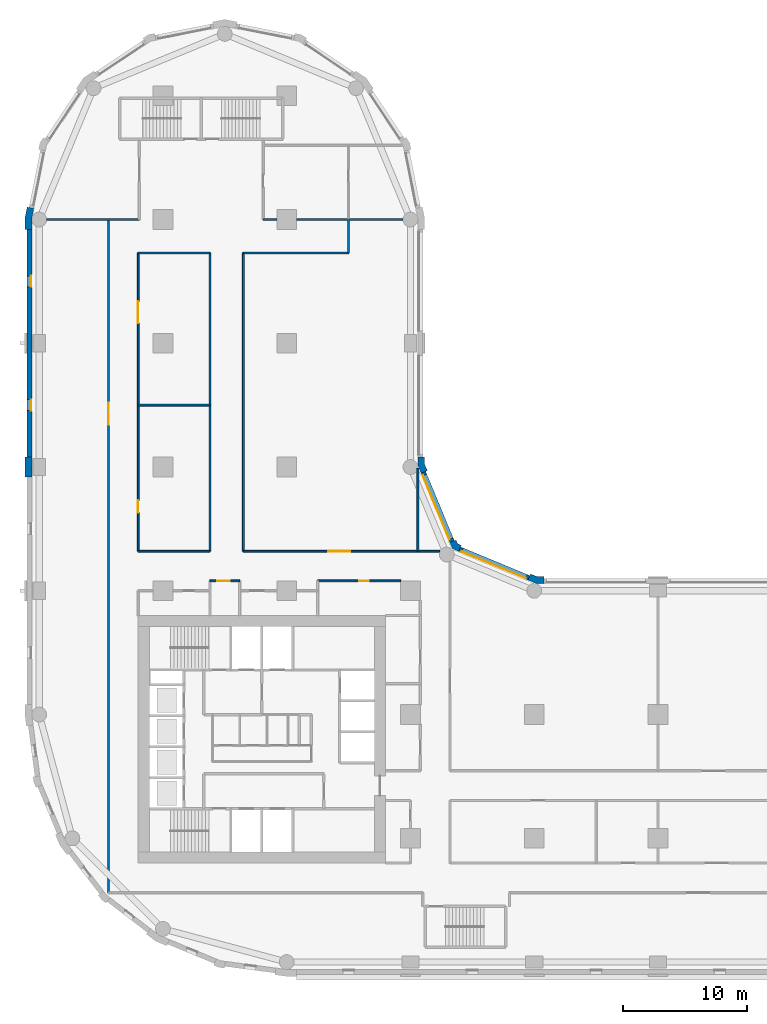
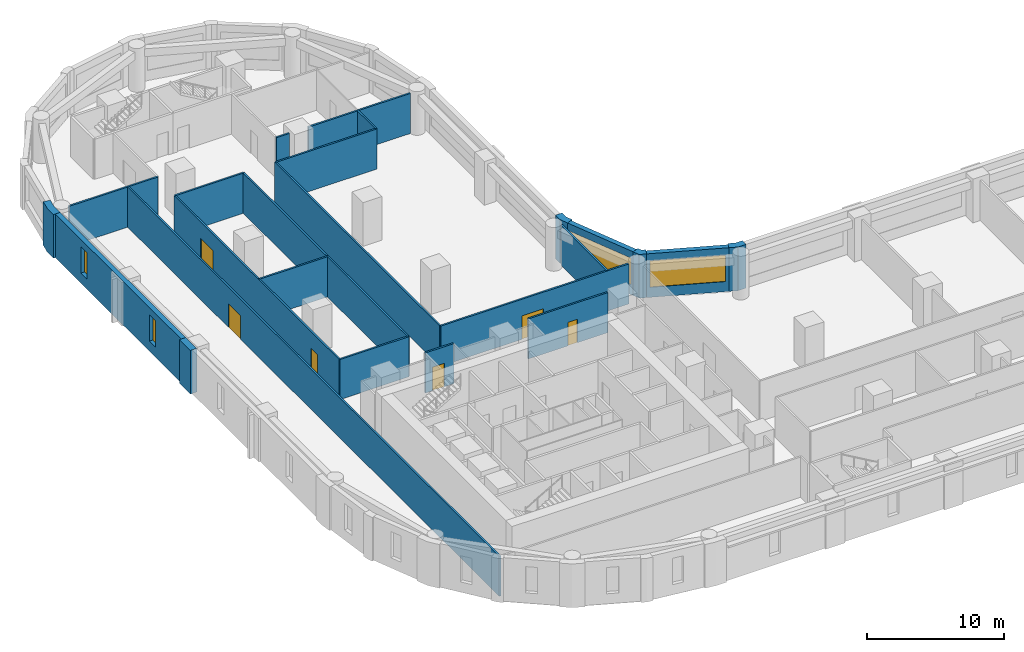
# One storey, part 5 of 10: 24 walls, 6 doors, 4 windows, 10 openings.
"""IFC4 building model written with IfcOpenShell, lengths in metres."""

from ifc_helpers import new_model, si_unit, direction, frame, frame_2d, origin, place, context, subcontext, project, spatial, polyline, rectangle, outline, extrude, material, layer, layer_set, type_object, element, fill, save


model = new_model("IFC4")

# Units and contexts
model_context = context("Model", 3, precision=1e-05, world=origin(), true_north=direction((0.0, 1.0)))
body_context = subcontext(model_context, "Body", "Model", "MODEL_VIEW")
ifc_project = project(units=[si_unit("LENGTHUNIT", "METRE"), si_unit("AREAUNIT", "SQUARE_METRE"), si_unit("VOLUMEUNIT", "CUBIC_METRE"), si_unit("PLANEANGLEUNIT", "RADIAN"), si_unit("MASSUNIT", "GRAM", prefix="KILO")], contexts=[model_context])

# Site, building, storey
site_placement = place(None, origin())
site = spatial("IfcSite", under=ifc_project, at=site_placement, CompositionType="ELEMENT")
building_placement = place(site_placement, origin())
building = spatial("IfcBuilding", under=site, at=building_placement, Name="Qaws Garden Tower", CompositionType="ELEMENT")
storey_placement = place(building_placement, frame((0.0, 0.0, 39.300048828125)))
storey = spatial("IfcBuildingStorey", under=building, at=storey_placement, Name="L09", CompositionType="ELEMENT", Elevation=39.300048828125)

# Wall, opening, window
ifc_material_1 = material(Name="Clay facing brick masonry", Category="masonry")
ifc_layer_1 = layer(ifc_material_1, 0.39990234375)
ifc_layer_set_1 = layer_set([ifc_layer_1], Name="Clay facing brick masonry")
wall_type_1 = type_object("IfcWallType", Name="Brick infill wall 400", PredefinedType="SOLIDWALL", material=ifc_layer_set_1)
wall_1_placement = place(storey_placement, frame((39.56689453125, 31.04541015625, 0.0), z_axis=(0.0, 0.0, 1.0), x_axis=(-0.923891000409, 0.382655745237, 0.0)))
wall_1 = element("IfcWall", 1, at=wall_1_placement, inside=storey, type_object=wall_type_1, Name="E-L09-infill-11", PredefinedType="SOLIDWALL", context=body_context, shape_type="SweptSolid", body=[
    extrude(rectangle(XDim=6.053466796875, YDim=0.39990234375, at=frame_2d((3.02685546875, 0.0))), origin(), (0.0, 0.0, 1.0), 3.89990234375),
])
opening_1_placement = place(wall_1_placement, frame((0.226806640625, 0.0, 0.89990234375)))
opening_1 = element("IfcOpeningElement", 2, at=opening_1_placement, cuts=wall_1, Name="Opening W04", PredefinedType="OPENING", context=body_context, shape_type="SweptSolid", body=[
    extrude(rectangle(XDim=5.60009765625, YDim=2.35009765625, at=frame_2d((2.800048828125, 1.175048828125))), frame((0.0, 0.2099609375, 0.0), z_axis=(0.0, -1.0, 0.0), x_axis=(1.0, 0.0, 0.0)), (0.0, 0.0, 1.0), 0.419921875),
])
ifc_material_2 = material(Name="Aluminium framed window, clear glazing", Category="aluminium")
window_type_1 = type_object("IfcWindowType", Name="Ribbon window 5600 x 2350", PartitioningType="DOUBLE_PANEL_VERTICAL", PredefinedType="WINDOW", material=ifc_material_2)
window_1_placement = place(opening_1_placement, origin())
window_1 = element("IfcWindow", 3, at=window_1_placement, inside=storey, type_object=window_type_1, Name="E-L09-window-11-0", OverallHeight=2.35009765625, OverallWidth=5.60009765625, PartitioningType="SINGLE_PANEL", PredefinedType="WINDOW", context=body_context, shape_type="SweptSolid", body=[
    extrude(rectangle(XDim=5.60009765625, YDim=2.35009765625, at=frame_2d((2.800048828125, 1.175048828125))), frame((0.0, 0.159912109375, 0.0), z_axis=(0.0, -1.0, 0.0), x_axis=(1.0, 0.0, 0.0)), (0.0, 0.0, 1.0), 0.06005859375),
])
fill(opening_1, window_1)

wall_2_placement = place(storey_placement, frame((33.36181640625, 33.97412109375, 0.0), z_axis=(0.0, 0.0, 1.0), x_axis=(-0.382655745237, 0.923891000409, 0.0)))
wall_2 = element("IfcWall", 4, at=wall_2_placement, inside=storey, type_object=wall_type_1, Name="E-L09-infill-12", PredefinedType="SOLIDWALL", context=body_context, shape_type="SweptSolid", body=[
    extrude(rectangle(XDim=6.053466796875, YDim=0.39990234375, at=frame_2d((3.02685546875, 0.0))), origin(), (0.0, 0.0, 1.0), 3.89990234375),
])
opening_2_placement = place(wall_2_placement, frame((0.226806640625, 0.0, 0.89990234375)))
opening_2 = element("IfcOpeningElement", 5, at=opening_2_placement, cuts=wall_2, Name="Opening W04", PredefinedType="OPENING", context=body_context, shape_type="SweptSolid", body=[
    extrude(rectangle(XDim=5.60009765625, YDim=2.35009765625, at=frame_2d((2.800048828125, 1.175048828125))), frame((0.0, 0.2099609375, 0.0), z_axis=(0.0, -1.0, 0.0), x_axis=(1.0, 0.0, 0.0)), (0.0, 0.0, 1.0), 0.419921875),
])
window_2_placement = place(opening_2_placement, origin())
window_2 = element("IfcWindow", 6, at=window_2_placement, inside=storey, type_object=window_type_1, Name="E-L09-window-12-0", OverallHeight=2.35009765625, OverallWidth=5.60009765625, PartitioningType="SINGLE_PANEL", PredefinedType="WINDOW", context=body_context, shape_type="SweptSolid", body=[
    extrude(rectangle(XDim=5.60009765625, YDim=2.35009765625, at=frame_2d((2.800048828125, 1.175048828125))), frame((0.0, 0.159912109375, 0.0), z_axis=(0.0, -1.0, 0.0), x_axis=(1.0, 0.0, 0.0)), (0.0, 0.0, 1.0), 0.06005859375),
])
fill(opening_2, window_2)

# Wall, openings, windows
wall_3_placement = place(storey_placement, frame((-0.800048828125, 59.199951171875, 0.0), z_axis=(0.0, 0.0, 1.0), x_axis=(0.0, -1.0, 0.0)))
wall_3 = element("IfcWall", 7, at=wall_3_placement, inside=storey, type_object=wall_type_1, Name="E-L09-infill-23", PredefinedType="SOLIDWALL", context=body_context, shape_type="SweptSolid", body=[
    extrude(rectangle(XDim=18.39990234375, YDim=0.39990234375, at=frame_2d((9.199951171875, 0.0))), origin(), (0.0, 0.0, 1.0), 3.89990234375),
])
opening_3_placement = place(wall_3_placement, frame((3.75, 0.0, 0.89990234375)))
opening_3 = element("IfcOpeningElement", 8, at=opening_3_placement, cuts=wall_3, Name="Opening W09", PredefinedType="OPENING", context=body_context, shape_type="SweptSolid", body=[
    extrude(rectangle(XDim=0.89990234375, YDim=2.35009765625, at=frame_2d((0.449951171875, 1.175048828125))), frame((0.0, 0.2099609375, 0.0), z_axis=(0.0, -1.0, 0.0), x_axis=(1.0, 0.0, 0.0)), (0.0, 0.0, 1.0), 0.419921875),
])
opening_4_placement = place(wall_3_placement, frame((13.75, 0.0, 0.89990234375)))
opening_4 = element("IfcOpeningElement", 9, at=opening_4_placement, cuts=wall_3, Name="Opening W09", PredefinedType="OPENING", context=body_context, shape_type="SweptSolid", body=[
    extrude(rectangle(XDim=0.89990234375, YDim=2.35009765625, at=frame_2d((0.449951171875, 1.175048828125))), frame((0.0, 0.2099609375, 0.0), z_axis=(0.0, -1.0, 0.0), x_axis=(1.0, 0.0, 0.0)), (0.0, 0.0, 1.0), 0.419921875),
])
ifc_material_3 = material(Name="Aluminium framed window, clear glazing", Category="aluminium")
window_type_2 = type_object("IfcWindowType", Name="Slit window 900 x 2350", PartitioningType="SINGLE_PANEL", PredefinedType="WINDOW", material=ifc_material_3)
window_3_placement = place(opening_3_placement, origin())
window_3 = element("IfcWindow", 10, at=window_3_placement, inside=storey, type_object=window_type_2, Name="E-L09-window-23-0", OverallHeight=2.35009765625, OverallWidth=0.89990234375, PartitioningType="SINGLE_PANEL", PredefinedType="WINDOW", context=body_context, shape_type="SweptSolid", body=[
    extrude(rectangle(XDim=0.89990234375, YDim=2.35009765625, at=frame_2d((0.449951171875, 1.175048828125))), frame((0.0, 0.159912109375, 0.0), z_axis=(0.0, -1.0, 0.0), x_axis=(1.0, 0.0, 0.0)), (0.0, 0.0, 1.0), 0.06005859375),
])
fill(opening_3, window_3)
window_4_placement = place(opening_4_placement, origin())
window_4 = element("IfcWindow", 11, at=window_4_placement, inside=storey, type_object=window_type_2, Name="E-L09-window-24-0", OverallHeight=2.35009765625, OverallWidth=0.89990234375, PartitioningType="SINGLE_PANEL", PredefinedType="WINDOW", context=body_context, shape_type="SweptSolid", body=[
    extrude(rectangle(XDim=0.89990234375, YDim=2.35009765625, at=frame_2d((0.449951171875, 1.175048828125))), frame((0.0, 0.159912109375, 0.0), z_axis=(0.0, -1.0, 0.0), x_axis=(1.0, 0.0, 0.0)), (0.0, 0.0, 1.0), 0.06005859375),
])
fill(opening_4, window_4)

# Walls
ifc_material_4 = material(Name="Clay facing brick masonry", Category="masonry")
ifc_layer_2 = layer(ifc_material_4, 0.550048828125)
ifc_layer_set_2 = layer_set([ifc_layer_2], Name="Clay facing brick masonry")
wall_type_2 = type_object("IfcWallType", Name="Brick pier 550 x 1600", PredefinedType="SOLIDWALL", material=ifc_layer_set_2)
placement = place(storey_placement, origin())
element("IfcWall", 12, at=placement, inside=storey, type_object=wall_type_2, Name="E-L09-pier-11", PredefinedType="SOLIDWALL", context=body_context, shape_type="SweptSolid", body=[
    extrude(outline(polyline([(40.800048828125, 31.0), (40.800048828125, 31.14990234375), (40.228759765625, 31.14990234375), (39.700927734375, 31.36865234375), (39.6435546875, 31.22998046875), (39.490478515625, 30.860595703125), (40.119384765625, 30.60009765625), (40.800048828125, 30.60009765625), (40.800048828125, 31.0)])), origin(), (0.0, 0.0, 1.0), 3.89990234375),
])
element("IfcWall", 13, at=placement, inside=storey, type_object=wall_type_2, Name="E-L09-pier-12", PredefinedType="SOLIDWALL", context=body_context, shape_type="SweptSolid", body=[
    extrude(outline(polyline([(34.05078125, 33.546630859375), (34.108154296875, 33.685302734375), (33.80908203125, 33.80908203125), (33.685302734375, 34.108154296875), (33.546630859375, 34.05078125), (33.177001953125, 33.897705078125), (33.38818359375, 33.38818359375), (33.897705078125, 33.177001953125), (34.05078125, 33.546630859375)])), origin(), (0.0, 0.0, 1.0), 3.89990234375),
])
element("IfcWall", 14, at=placement, inside=storey, type_object=wall_type_2, Name="E-L09-pier-13", PredefinedType="SOLIDWALL", context=body_context, shape_type="SweptSolid", body=[
    extrude(outline(polyline([(31.22998046875, 39.6435546875), (31.36865234375, 39.700927734375), (31.14990234375, 40.228759765625), (31.14990234375, 40.800048828125), (31.0, 40.800048828125), (30.60009765625, 40.800048828125), (30.60009765625, 40.119384765625), (30.860595703125, 39.490478515625), (31.22998046875, 39.6435546875)])), origin(), (0.0, 0.0, 1.0), 3.89990234375),
])
element("IfcWall", 15, at=placement, inside=storey, type_object=wall_type_2, Name="E-L09-pier-23", PredefinedType="SOLIDWALL", context=body_context, shape_type="SweptSolid", body=[
    extrude(outline(polyline([(-0.82470703125, 60.979736328125), (-0.971923828125, 61.009033203125), (-1.14990234375, 60.11328125), (-1.14990234375, 59.199951171875), (-1.0, 59.199951171875), (-0.60009765625, 59.199951171875), (-0.60009765625, 60.05908203125), (-0.432373046875, 60.901611328125), (-0.82470703125, 60.979736328125)])), origin(), (0.0, 0.0, 1.0), 3.89990234375),
])
element("IfcWall", 16, at=placement, inside=storey, type_object=wall_type_2, Name="E-L09-pier-25", PredefinedType="SOLIDWALL", context=body_context, shape_type="SweptSolid", body=[
    extrude(outline(polyline([(-1.0, 40.800048828125), (-1.14990234375, 40.800048828125), (-1.14990234375, 40.0), (-1.14990234375, 39.199951171875), (-1.0, 39.199951171875), (-0.60009765625, 39.199951171875), (-0.60009765625, 40.0), (-0.60009765625, 40.800048828125), (-1.0, 40.800048828125)])), origin(), (0.0, 0.0, 1.0), 3.89990234375),
])

# Wall, opening, door
ifc_material_5 = material(Name="Gypsum board partition")
ifc_layer_3 = layer(ifc_material_5, 0.14990234375)
ifc_layer_set_3 = layer_set([ifc_layer_3], Name="Gypsum board partition")
wall_type_3 = type_object("IfcWallType", Name="PARTITION 150 EI 60", PredefinedType="PARTITIONING", material=ifc_layer_set_3)
wall_9_placement = place(storey_placement, frame((5.60009765625, 5.60009765625, 0.0), z_axis=(0.0, 0.0, 1.0), x_axis=(0.0, 1.0, 0.0)))
wall_9 = element("IfcWall", 17, at=wall_9_placement, inside=storey, type_object=wall_type_3, Name="O-L09-wall-002", PredefinedType="PARTITIONING", context=body_context, shape_type="SweptSolid", body=[
    extrude(rectangle(XDim=54.39990234375, YDim=0.14990234375, at=frame_2d((27.199951171875, 0.0))), origin(), (0.0, 0.0, 1.0), 3.579833984375),
])
opening_5_placement = place(wall_9_placement, frame((37.800048828125, 0.0, 0.0)))
opening_5 = element("IfcOpeningElement", 18, at=opening_5_placement, cuts=wall_9, Name="Opening A301", PredefinedType="OPENING", context=body_context, shape_type="SweptSolid", body=[
    extrude(rectangle(XDim=1.800048828125, YDim=2.10009765625, at=frame_2d((0.89990234375, 1.050048828125))), frame((0.0, 0.0849609375, 0.0), z_axis=(0.0, -1.0, 0.0), x_axis=(1.0, 0.0, 0.0)), (0.0, 0.0, 1.0), 0.169921875),
])
ifc_material_6 = material(Name="Timber door leaf", Category="wood")
door_type_1 = type_object("IfcDoorType", Name="DOUBLE DOOR 1800 X 2100", OperationType="DOUBLE_DOOR_SINGLE_SWING", PredefinedType="DOOR", material=ifc_material_6)
door_1_placement = place(opening_5_placement, origin())
door_1 = element("IfcDoor", 19, at=door_1_placement, inside=storey, type_object=door_type_1, Name="O-L09-door-001", OperationType="DOUBLE_DOOR_SINGLE_SWING", OverallHeight=2.10009765625, OverallWidth=1.800048828125, PredefinedType="DOOR", context=body_context, shape_type="SweptSolid", body=[
    extrude(rectangle(XDim=1.800048828125, YDim=2.10009765625, at=frame_2d((0.89990234375, 1.050048828125))), frame((0.0, 0.02490234375, 0.0), z_axis=(0.0, -1.0, 0.0), x_axis=(1.0, 0.0, 0.0)), (0.0, 0.0, 1.0), 0.050048828125),
])
fill(opening_5, door_1)

# Wall, openings, doors
wall_10_placement = place(storey_placement, frame((8.0, 33.199951171875, 0.0), z_axis=(0.0, 0.0, 1.0), x_axis=(0.0, 1.0, 0.0)))
wall_10 = element("IfcWall", 20, at=wall_10_placement, inside=storey, type_object=wall_type_3, Name="O-L09-wall-004", PredefinedType="PARTITIONING", context=body_context, shape_type="SweptSolid", body=[
    extrude(rectangle(XDim=24.10009765625, YDim=0.14990234375, at=frame_2d((12.050048828125, 0.0))), origin(), (0.0, 0.0, 1.0), 3.579833984375),
])
opening_6_placement = place(wall_10_placement, frame((3.10009765625, 0.0, 0.0)))
opening_6 = element("IfcOpeningElement", 21, at=opening_6_placement, cuts=wall_10, Name="Opening A306", PredefinedType="OPENING", context=body_context, shape_type="SweptSolid", body=[
    extrude(rectangle(XDim=1.0, YDim=2.10009765625, at=frame_2d((0.5, 1.050048828125))), frame((0.0, 0.0849609375, 0.0), z_axis=(0.0, -1.0, 0.0), x_axis=(1.0, 0.0, 0.0)), (0.0, 0.0, 1.0), 0.169921875),
])
opening_7_placement = place(wall_10_placement, frame((18.39990234375, 0.0, 0.0)))
opening_7 = element("IfcOpeningElement", 22, at=opening_7_placement, cuts=wall_10, Name="Opening A307", PredefinedType="OPENING", context=body_context, shape_type="SweptSolid", body=[
    extrude(rectangle(XDim=1.800048828125, YDim=2.10009765625, at=frame_2d((0.89990234375, 1.050048828125))), frame((0.0, 0.0849609375, 0.0), z_axis=(0.0, -1.0, 0.0), x_axis=(1.0, 0.0, 0.0)), (0.0, 0.0, 1.0), 0.169921875),
])
door_2_placement = place(opening_7_placement, frame((1.800048828125, 0.0, 0.0), z_axis=(0.0, 0.0, 1.0), x_axis=(-1.0, 0.0, 0.0)))
door_2 = element("IfcDoor", 23, at=door_2_placement, inside=storey, type_object=door_type_1, Name="O-L09-door-007", OperationType="DOUBLE_DOOR_SINGLE_SWING", OverallHeight=2.10009765625, OverallWidth=1.800048828125, PredefinedType="DOOR", context=body_context, shape_type="SweptSolid", body=[
    extrude(rectangle(XDim=1.800048828125, YDim=2.10009765625, at=frame_2d((0.89990234375, 1.050048828125))), frame((0.0, 0.02490234375, 0.0), z_axis=(0.0, -1.0, 0.0), x_axis=(1.0, 0.0, 0.0)), (0.0, 0.0, 1.0), 0.050048828125),
])
fill(opening_7, door_2)
ifc_material_7 = material(Name="Timber door leaf", Category="wood")
door_type_2 = type_object("IfcDoorType", Name="TENANCY ENTRANCE DOOR 1000 X 2100", OperationType="SINGLE_SWING_LEFT", PredefinedType="DOOR", material=ifc_material_7)
door_3_placement = place(opening_6_placement, frame((1.0, 0.0, 0.0), z_axis=(0.0, 0.0, 1.0), x_axis=(-1.0, 0.0, 0.0)))
door_3 = element("IfcDoor", 24, at=door_3_placement, inside=storey, type_object=door_type_2, Name="O-L09-door-006", OperationType="SINGLE_SWING_RIGHT", OverallHeight=2.10009765625, OverallWidth=1.0, PredefinedType="DOOR", context=body_context, shape_type="SweptSolid", body=[
    extrude(rectangle(XDim=1.0, YDim=2.10009765625, at=frame_2d((0.5, 1.050048828125))), frame((0.0, 0.02490234375, 0.0), z_axis=(0.0, -1.0, 0.0), x_axis=(1.0, 0.0, 0.0)), (0.0, 0.0, 1.0), 0.050048828125),
])
fill(opening_6, door_3)

# Walls
for number, where, z_axis, x_axis, name in (
    (25, (13.800048828125, 33.199951171875, 0.0), (0.0, 0.0, 1.0), (0.0, 1.0, 0.0), "O-L09-wall-007"),
    (26, (16.5, 33.199951171875, 0.0), (0.0, 0.0, 1.0), (0.0, 1.0, 0.0), "O-L09-wall-009"),
):
    element("IfcWall", number, at=place(storey_placement, frame(where, z_axis=z_axis, x_axis=x_axis)), inside=storey, type_object=wall_type_3, Name=name, PredefinedType="PARTITIONING", context=body_context, shape_type="SweptSolid", body=[
        extrude(rectangle(XDim=24.10009765625, YDim=0.14990234375, at=frame_2d((12.050048828125, 0.0))), origin(), (0.0, 0.0, 1.0), 3.579833984375),
    ])
wall_11_placement = place(storey_placement, frame((25.0, 57.300048828125, 0.0), z_axis=(0.0, 0.0, 1.0), x_axis=(0.0, 1.0, 0.0)))
element("IfcWall", 27, at=wall_11_placement, inside=storey, type_object=wall_type_3, Name="O-L09-wall-012", PredefinedType="PARTITIONING", context=body_context, shape_type="SweptSolid", body=[
    extrude(rectangle(XDim=2.699951171875, YDim=0.14990234375, at=frame_2d((1.35009765625, 0.0))), origin(), (0.0, 0.0, 1.0), 3.579833984375),
])
wall_12_placement = place(storey_placement, frame((30.60009765625, 33.199951171875, 0.0), z_axis=(0.0, 0.0, 1.0), x_axis=(0.0, 1.0, 0.0)))
element("IfcWall", 28, at=wall_12_placement, inside=storey, type_object=wall_type_3, Name="O-L09-wall-015", PredefinedType="PARTITIONING", context=body_context, shape_type="SweptSolid", body=[
    extrude(rectangle(XDim=6.698974609375, YDim=0.14990234375, at=frame_2d((3.349609375, 0.0))), origin(), (0.0, 0.0, 1.0), 3.579833984375),
])

# Wall, opening, door
wall_13_placement = place(storey_placement, frame((13.800048828125, 30.800048828125, 0.0), z_axis=(0.0, 0.0, 1.0), x_axis=(1.0, 0.0, 0.0)))
wall_13 = element("IfcWall", 29, at=wall_13_placement, inside=storey, type_object=wall_type_3, Name="O-L09-wall-045", PredefinedType="PARTITIONING", context=body_context, shape_type="SweptSolid", body=[
    extrude(rectangle(XDim=2.39990234375, YDim=0.14990234375, at=frame_2d((1.199951171875, 0.0))), origin(), (0.0, 0.0, 1.0), 3.579833984375),
])
opening_8_placement = place(wall_13_placement, frame((0.60009765625, 0.0, 0.0)))
opening_8 = element("IfcOpeningElement", 30, at=opening_8_placement, cuts=wall_13, Name="Opening A311", PredefinedType="OPENING", context=body_context, shape_type="SweptSolid", body=[
    extrude(rectangle(XDim=1.0, YDim=2.10009765625, at=frame_2d((0.5, 1.050048828125))), frame((0.0, 0.0849609375, 0.0), z_axis=(0.0, -1.0, 0.0), x_axis=(1.0, 0.0, 0.0)), (0.0, 0.0, 1.0), 0.169921875),
])
door_4_placement = place(opening_8_placement, frame((1.0, 0.0, 0.0), z_axis=(0.0, 0.0, 1.0), x_axis=(-1.0, 0.0, 0.0)))
door_4 = element("IfcDoor", 31, at=door_4_placement, inside=storey, type_object=door_type_2, Name="O-L09-door-011", OperationType="SINGLE_SWING_RIGHT", OverallHeight=2.10009765625, OverallWidth=1.0, PredefinedType="DOOR", context=body_context, shape_type="SweptSolid", body=[
    extrude(rectangle(XDim=1.0, YDim=2.10009765625, at=frame_2d((0.5, 1.050048828125))), frame((0.0, 0.02490234375, 0.0), z_axis=(0.0, -1.0, 0.0), x_axis=(1.0, 0.0, 0.0)), (0.0, 0.0, 1.0), 0.050048828125),
])
fill(opening_8, door_4)

wall_14_placement = place(storey_placement, frame((22.5, 30.800048828125, 0.0), z_axis=(0.0, 0.0, 1.0), x_axis=(1.0, 0.0, 0.0)))
wall_14 = element("IfcWall", 32, at=wall_14_placement, inside=storey, type_object=wall_type_3, Name="O-L09-wall-046", PredefinedType="PARTITIONING", context=body_context, shape_type="SweptSolid", body=[
    extrude(rectangle(XDim=6.699951171875, YDim=0.14990234375, at=frame_2d((3.35009765625, 0.0))), origin(), (0.0, 0.0, 1.0), 3.579833984375),
])
opening_9_placement = place(wall_14_placement, frame((3.35009765625, 0.0, 0.0)))
opening_9 = element("IfcOpeningElement", 33, at=opening_9_placement, cuts=wall_14, Name="Opening A305", PredefinedType="OPENING", context=body_context, shape_type="SweptSolid", body=[
    extrude(rectangle(XDim=0.800048828125, YDim=2.10009765625, at=frame_2d((0.39990234375, 1.050048828125))), frame((0.0, 0.0849609375, 0.0), z_axis=(0.0, -1.0, 0.0), x_axis=(1.0, 0.0, 0.0)), (0.0, 0.0, 1.0), 0.169921875),
])
ifc_material_8 = material(Name="Timber door leaf", Category="wood")
door_type_3 = type_object("IfcDoorType", Name="STORE DOOR 800 X 2100", OperationType="SINGLE_SWING_LEFT", PredefinedType="DOOR", material=ifc_material_8)
door_5_placement = place(opening_9_placement, frame((0.800048828125, 0.0, 0.0), z_axis=(0.0, 0.0, 1.0), x_axis=(-1.0, 0.0, 0.0)))
door_5 = element("IfcDoor", 34, at=door_5_placement, inside=storey, type_object=door_type_3, Name="O-L09-door-005", OperationType="SINGLE_SWING_LEFT", OverallHeight=2.10009765625, OverallWidth=0.800048828125, PredefinedType="DOOR", context=body_context, shape_type="SweptSolid", body=[
    extrude(rectangle(XDim=0.800048828125, YDim=2.10009765625, at=frame_2d((0.39990234375, 1.050048828125))), frame((0.0, 0.02490234375, 0.0), z_axis=(0.0, -1.0, 0.0), x_axis=(1.0, 0.0, 0.0)), (0.0, 0.0, 1.0), 0.050048828125),
])
fill(opening_9, door_5)

# Wall
wall_15_placement = place(storey_placement, frame((8.0, 33.199951171875, 0.0), z_axis=(0.0, 0.0, 1.0), x_axis=(1.0, 0.0, 0.0)))
element("IfcWall", 35, at=wall_15_placement, inside=storey, type_object=wall_type_3, Name="O-L09-wall-047", PredefinedType="PARTITIONING", context=body_context, shape_type="SweptSolid", body=[
    extrude(rectangle(XDim=5.800048828125, YDim=0.14990234375, at=frame_2d((2.89990234375, 0.0))), origin(), (0.0, 0.0, 1.0), 3.579833984375),
])

# Wall, opening, door
wall_16_placement = place(storey_placement, frame((16.5, 33.199951171875, 0.0), z_axis=(0.0, 0.0, 1.0), x_axis=(1.0, 0.0, 0.0)))
wall_16 = element("IfcWall", 36, at=wall_16_placement, inside=storey, type_object=wall_type_3, Name="O-L09-wall-048", PredefinedType="PARTITIONING", context=body_context, shape_type="SweptSolid", body=[
    extrude(rectangle(XDim=15.862060546875, YDim=0.14990234375, at=frame_2d((7.93115234375, 0.0))), origin(), (0.0, 0.0, 1.0), 3.579833984375),
])
opening_10_placement = place(wall_16_placement, frame((6.85009765625, 0.0, 0.0)))
opening_10 = element("IfcOpeningElement", 37, at=opening_10_placement, cuts=wall_16, Name="Opening A308", PredefinedType="OPENING", context=body_context, shape_type="SweptSolid", body=[
    extrude(rectangle(XDim=1.800048828125, YDim=2.10009765625, at=frame_2d((0.89990234375, 1.050048828125))), frame((0.0, 0.0849609375, 0.0), z_axis=(0.0, -1.0, 0.0), x_axis=(1.0, 0.0, 0.0)), (0.0, 0.0, 1.0), 0.169921875),
])
door_6_placement = place(opening_10_placement, origin())
door_6 = element("IfcDoor", 38, at=door_6_placement, inside=storey, type_object=door_type_1, Name="O-L09-door-008", OperationType="DOUBLE_DOOR_SINGLE_SWING", OverallHeight=2.10009765625, OverallWidth=1.800048828125, PredefinedType="DOOR", context=body_context, shape_type="SweptSolid", body=[
    extrude(rectangle(XDim=1.800048828125, YDim=2.10009765625, at=frame_2d((0.89990234375, 1.050048828125))), frame((0.0, 0.02490234375, 0.0), z_axis=(0.0, -1.0, 0.0), x_axis=(1.0, 0.0, 0.0)), (0.0, 0.0, 1.0), 0.050048828125),
])
fill(opening_10, door_6)

# Walls
for number, where, z_axis, x_axis, name in (
    (39, (8.0, 45.0, 0.0), (0.0, 0.0, 1.0), (1.0, 0.0, 0.0), "O-L09-wall-049"),
    (40, (8.0, 57.300048828125, 0.0), (0.0, 0.0, 1.0), (1.0, 0.0, 0.0), "O-L09-wall-050"),
):
    element("IfcWall", number, at=place(storey_placement, frame(where, z_axis=z_axis, x_axis=x_axis)), inside=storey, type_object=wall_type_3, Name=name, PredefinedType="PARTITIONING", context=body_context, shape_type="SweptSolid", body=[
        extrude(rectangle(XDim=5.800048828125, YDim=0.14990234375, at=frame_2d((2.89990234375, 0.0))), origin(), (0.0, 0.0, 1.0), 3.579833984375),
    ])
wall_17_placement = place(storey_placement, frame((16.5, 57.300048828125, 0.0), z_axis=(0.0, 0.0, 1.0), x_axis=(1.0, 0.0, 0.0)))
element("IfcWall", 41, at=wall_17_placement, inside=storey, type_object=wall_type_3, Name="O-L09-wall-051", PredefinedType="PARTITIONING", context=body_context, shape_type="SweptSolid", body=[
    extrude(rectangle(XDim=8.5, YDim=0.14990234375, at=frame_2d((4.25, 0.0))), origin(), (0.0, 0.0, 1.0), 3.579833984375),
])
wall_18_placement = place(storey_placement, frame((0.60009765625, 60.0, 0.0), z_axis=(0.0, 0.0, 1.0), x_axis=(1.0, 0.0, 0.0)))
element("IfcWall", 42, at=wall_18_placement, inside=storey, type_object=wall_type_3, Name="O-L09-wall-052", PredefinedType="PARTITIONING", context=body_context, shape_type="SweptSolid", body=[
    extrude(rectangle(XDim=7.5, YDim=0.14990234375, at=frame_2d((3.75, 0.0))), origin(), (0.0, 0.0, 1.0), 3.579833984375),
])
wall_19_placement = place(storey_placement, frame((18.10009765625, 60.0, 0.0), z_axis=(0.0, 0.0, 1.0), x_axis=(1.0, 0.0, 0.0)))
element("IfcWall", 43, at=wall_19_placement, inside=storey, type_object=wall_type_3, Name="O-L09-wall-053", PredefinedType="PARTITIONING", context=body_context, shape_type="SweptSolid", body=[
    extrude(rectangle(XDim=1.099853515625, YDim=0.14990234375, at=frame_2d((0.5498046875, 0.0))), origin(), (0.0, 0.0, 1.0), 3.579833984375),
])
wall_20_placement = place(storey_placement, frame((20.800048828125, 60.0, 0.0), z_axis=(0.0, 0.0, 1.0), x_axis=(1.0, 0.0, 0.0)))
element("IfcWall", 44, at=wall_20_placement, inside=storey, type_object=wall_type_3, Name="O-L09-wall-054", PredefinedType="PARTITIONING", context=body_context, shape_type="SweptSolid", body=[
    extrude(rectangle(XDim=8.599853515625, YDim=0.14990234375, at=frame_2d((4.2998046875, 0.0))), origin(), (0.0, 0.0, 1.0), 3.579833984375),
])

save(model, "model.ifc")
